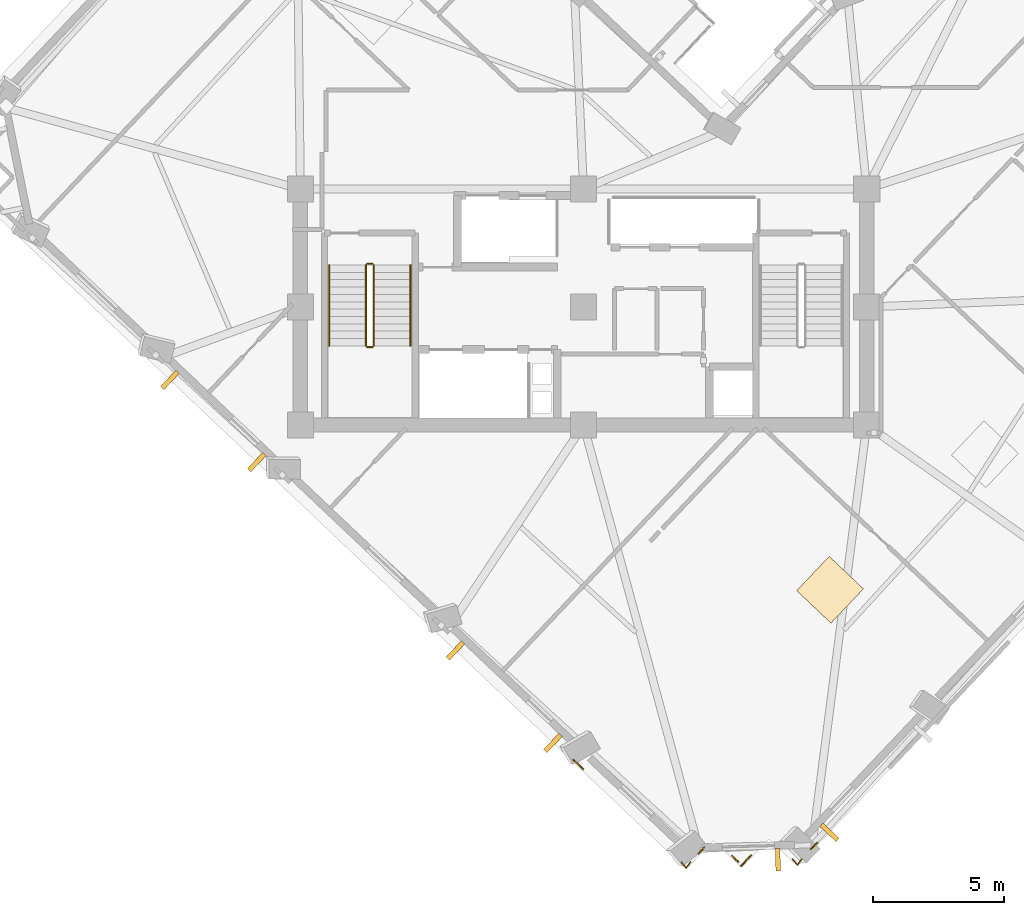
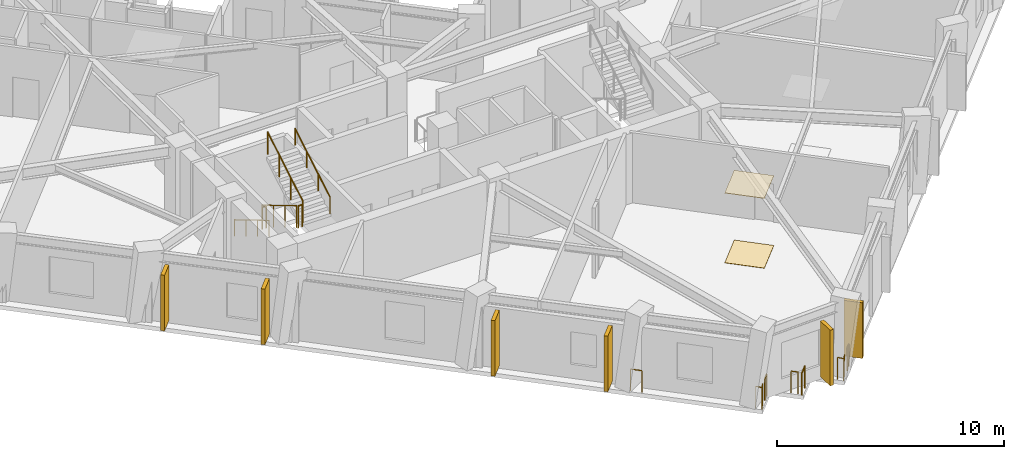
# One storey, part 9 of 12: 13 railings, 6 shading devices, 2 coverings.
"""IFC4 building model written with IfcOpenShell, lengths in metres."""

from ifc_helpers import new_model, si_unit, direction, frame, origin, origin_2d, place, context, subcontext, project, spatial, rectangle, circle, extrude, material, layer, layer_set, type_object, element, save


model = new_model("IFC4")

# Units and contexts
model_context = context("Model", 3, precision=1e-05, world=origin(), true_north=direction((0.0, 1.0)))
body_context = subcontext(model_context, "Body", "Model", "MODEL_VIEW")
ifc_project = project(units=[si_unit("LENGTHUNIT", "METRE"), si_unit("AREAUNIT", "SQUARE_METRE"), si_unit("VOLUMEUNIT", "CUBIC_METRE"), si_unit("PLANEANGLEUNIT", "RADIAN"), si_unit("MASSUNIT", "GRAM", prefix="KILO")], contexts=[model_context])

# Site, building, storey
site_placement = place(None, origin())
site = spatial("IfcSite", under=ifc_project, at=site_placement, CompositionType="ELEMENT")
building_placement = place(site_placement, origin())
building = spatial("IfcBuilding", under=site, at=building_placement, Name="Gaonmaruhae Medical Tower", CompositionType="ELEMENT")
storey_placement = place(building_placement, frame((0.0, 0.0, 223.199951171875)))
storey = spatial("IfcBuildingStorey", under=building, at=storey_placement, Name="L53", CompositionType="ELEMENT", Elevation=223.199951171875)

# Coverings
ifc_material_1 = material(Name="Acoustic mineral ceiling tile", Category="finish")
ifc_layer_1 = layer(ifc_material_1, 0.02490234375)
ifc_layer_set_1 = layer_set([ifc_layer_1], Name="Acoustic mineral ceiling tile")
covering_type_1 = type_object("IfcCoveringType", Name="CLG-01 Antimicrobial Acoustic Mineral Ceiling", PredefinedType="CEILING", material=ifc_layer_set_1)
covering_1_placement = place(storey_placement, frame((34.203125, 1.515869140625, 3.755126953125), z_axis=(0.0, 0.0, 1.0), x_axis=(0.687721305114, 0.725974797422, 0.0)))
element("IfcCovering", 1, at=covering_1_placement, inside=storey, type_object=covering_type_1, Name="L53 Clinical Room Acoustic Ceiling 2", PredefinedType="CEILING", context=body_context, shape_type="SweptSolid", body=[
    extrude(rectangle(XDim=1.800048828125, YDim=1.800048828125, at=origin_2d()), origin(), (0.0, 0.0, 1.0), 0.02490234375),
])
ifc_material_2 = material(Name="Seamless clinical vinyl flooring", Category="finish")
ifc_layer_2 = layer(ifc_material_2, 0.014892578125)
ifc_layer_set_2 = layer_set([ifc_layer_2], Name="Seamless clinical vinyl flooring")
covering_type_2 = type_object("IfcCoveringType", Name="FLR-01 Seamless Clinical Antistatic Vinyl Flooring", PredefinedType="FLOORING", material=ifc_layer_set_2)
covering_2_placement = place(storey_placement, frame((34.203125, 1.515869140625, 0.0), z_axis=(0.0, 0.0, 1.0), x_axis=(0.687721305114, 0.725974797422, 0.0)))
element("IfcCovering", 2, at=covering_2_placement, inside=storey, type_object=covering_type_2, Name="L53 Clinical Room Vinyl Flooring 2", PredefinedType="FLOORING", context=body_context, shape_type="SweptSolid", body=[
    extrude(rectangle(XDim=1.800048828125, YDim=1.800048828125, at=origin_2d()), origin(), (0.0, 0.0, 1.0), 0.014892578125),
])

# Railings
ifc_material_3 = material(Name="Stainless steel 316L and laminated safety glass", Category="steel")
ifc_layer_3 = layer(ifc_material_3, 0.080078125)
ifc_layer_set_3 = layer_set([ifc_layer_3], Name="Stainless steel 316L and laminated safety glass")
railing_type_1 = type_object("IfcRailingType", Name="GD-120 Outdoor Terrace Safety Glass & Steel Balustrade", PredefinedType="BALUSTRADE", material=ifc_layer_set_3)
railing_1_placement = place(storey_placement, frame((33.705322265625, -8.139892578125, 0.0)))
element("IfcRailing", 3, at=railing_1_placement, inside=storey, type_object=railing_type_1, Name="L53 Perimeter Slab Edge Safety Balustrade 03", PredefinedType="BALUSTRADE", context=body_context, shape_type="SweptSolid", body=[
    extrude(circle(Radius=0.02392578125, at=origin_2d()), frame((0.0, 0.0, 1.17578125), z_axis=(-0.687445720701, -0.726235761368, 0.0), x_axis=(0.726235761368, -0.687445720701, 0.0)), (0.0, 0.0, 1.0), 0.33984375),
    extrude(circle(Radius=0.02099609375, at=origin_2d()), origin(), (0.0, 0.0, 1.0), 1.15185546875),
    extrude(circle(Radius=0.02099609375, at=origin_2d()), frame((-0.233642578125, -0.246826171875, 0.0)), (0.0, 0.0, 1.0), 1.15185546875),
])
railing_2_placement = place(storey_placement, frame((31.186767578125, -8.61767578125, 0.0)))
element("IfcRailing", 4, at=railing_2_placement, inside=storey, type_object=railing_type_1, Name="L53 Perimeter Slab Edge Safety Balustrade 04", PredefinedType="BALUSTRADE", context=body_context, shape_type="SweptSolid", body=[
    extrude(circle(Radius=0.02392578125, at=origin_2d()), frame((0.0, 0.0, 1.17578125), z_axis=(-0.687889730395, -0.725815209828, 0.0), x_axis=(0.725815209828, -0.687889730395, 0.0)), (0.0, 0.0, 1.0), 0.56005859375),
    extrude(circle(Radius=0.02099609375, at=origin_2d()), origin(), (0.0, 0.0, 1.0), 1.15185546875),
    extrude(circle(Radius=0.02099609375, at=origin_2d()), frame((-0.38525390625, -0.406494140625, 0.0)), (0.0, 0.0, 1.0), 1.15185546875),
])
railing_3_placement = place(storey_placement, frame((30.702880859375, -8.86181640625, 0.0)))
element("IfcRailing", 5, at=railing_3_placement, inside=storey, type_object=railing_type_1, Name="L53 Perimeter Slab Edge Safety Balustrade 05", PredefinedType="BALUSTRADE", context=body_context, shape_type="SweptSolid", body=[
    extrude(circle(Radius=0.02392578125, at=origin_2d()), frame((0.0, 0.0, 1.17578125), z_axis=(-0.72591339313, 0.687786119135, 0.0), x_axis=(-0.687786119135, -0.72591339313, 0.0)), (0.0, 0.0, 1.0), 0.32666015625),
    extrude(circle(Radius=0.02099609375, at=origin_2d()), origin(), (0.0, 0.0, 1.0), 1.15185546875),
    extrude(circle(Radius=0.02099609375, at=origin_2d()), frame((-0.237060546875, 0.224609375, 0.0)), (0.0, 0.0, 1.0), 1.15185546875),
])
railing_4_placement = place(storey_placement, frame((29.409912109375, -8.31201171875, 0.0)))
element("IfcRailing", 6, at=railing_4_placement, inside=storey, type_object=railing_type_1, Name="L53 Perimeter Slab Edge Safety Balustrade 06", PredefinedType="BALUSTRADE", context=body_context, shape_type="SweptSolid", body=[
    extrude(circle(Radius=0.02392578125, at=origin_2d()), frame((0.0, 0.0, 1.17578125), z_axis=(-0.687786119135, -0.72591339313, 0.0), x_axis=(0.72591339313, -0.687786119135, 0.0)), (0.0, 0.0, 1.0), 0.32666015625),
    extrude(circle(Radius=0.02099609375, at=origin_2d()), origin(), (0.0, 0.0, 1.0), 1.15185546875),
    extrude(circle(Radius=0.02099609375, at=origin_2d()), frame((-0.224609375, -0.237060546875, 0.0)), (0.0, 0.0, 1.0), 1.15185546875),
])
railing_5_placement = place(storey_placement, frame((24.784423828125, -5.3212890625, 0.0)))
element("IfcRailing", 7, at=railing_5_placement, inside=storey, type_object=railing_type_1, Name="L53 Perimeter Slab Edge Safety Balustrade 07", PredefinedType="BALUSTRADE", context=body_context, shape_type="SweptSolid", body=[
    extrude(circle(Radius=0.02392578125, at=origin_2d()), frame((0.0, 0.0, 1.17578125), z_axis=(-0.725903233346, 0.687796841965, 0.0), x_axis=(-0.687796841965, -0.725903233346, 0.0)), (0.0, 0.0, 1.0), 0.51904296875),
    extrude(circle(Radius=0.02099609375, at=origin_2d()), origin(), (0.0, 0.0, 1.0), 1.15185546875),
    extrude(circle(Radius=0.02099609375, at=origin_2d()), frame((-0.376708984375, 0.35693359375, 0.0)), (0.0, 0.0, 1.0), 1.15185546875),
])
railing_6_placement = place(storey_placement, frame((33.12841796875, -8.748779296875, 0.0)))
element("IfcRailing", 8, at=railing_6_placement, inside=storey, type_object=railing_type_1, Name="L53 Perimeter Corner Safety Balustrade 10", PredefinedType="BALUSTRADE", context=body_context, shape_type="SweptSolid", body=[
    extrude(circle(Radius=0.02392578125, at=origin_2d()), frame((0.0, 0.0, 1.17578125), z_axis=(-0.593315013285, -0.804970369027, 0.0), x_axis=(0.804970369027, -0.593315013285, 0.0)), (0.0, 0.0, 1.0), 0.287109375),
    extrude(circle(Radius=0.02392578125, at=origin_2d()), frame((-0.17041015625, -0.231201171875, 1.17578125), z_axis=(-0.637254655596, 0.770653296834, 0.0), x_axis=(-0.770653296834, -0.637254655596, 0.0)), (0.0, 0.0, 1.0), 0.287353515625),
    extrude(circle(Radius=0.02099609375, at=origin_2d()), origin(), (0.0, 0.0, 1.0), 1.15185546875),
    extrude(circle(Radius=0.02099609375, at=origin_2d()), frame((-0.17041015625, -0.231201171875, 0.0)), (0.0, 0.0, 1.0), 1.15185546875),
    extrude(circle(Radius=0.02099609375, at=origin_2d()), frame((-0.353515625, -0.009765625, 0.0)), (0.0, 0.0, 1.0), 1.15185546875),
])
railing_7_placement = place(storey_placement, frame((28.887451171875, -8.86376953125, 0.0)))
element("IfcRailing", 9, at=railing_7_placement, inside=storey, type_object=railing_type_1, Name="L53 Perimeter Corner Safety Balustrade 11", PredefinedType="BALUSTRADE", context=body_context, shape_type="SweptSolid", body=[
    extrude(circle(Radius=0.02392578125, at=origin_2d()), frame((0.0, 0.0, 1.17578125), z_axis=(-0.594271531298, -0.804264475834, 0.0), x_axis=(0.804264475834, -0.594271531298, 0.0)), (0.0, 0.0, 1.0), 0.287109375),
    extrude(circle(Radius=0.02392578125, at=origin_2d()), frame((-0.170654296875, -0.23095703125, 1.17578125), z_axis=(-0.636749619311, 0.771070633799, 0.0), x_axis=(-0.771070633799, -0.636749619311, 0.0)), (0.0, 0.0, 1.0), 0.287109375),
    extrude(circle(Radius=0.02099609375, at=origin_2d()), origin(), (0.0, 0.0, 1.0), 1.15185546875),
    extrude(circle(Radius=0.02099609375, at=origin_2d()), frame((-0.170654296875, -0.23095703125, 0.0)), (0.0, 0.0, 1.0), 1.15185546875),
    extrude(circle(Radius=0.02099609375, at=origin_2d()), frame((-0.353515625, -0.009521484375, 0.0)), (0.0, 0.0, 1.0), 1.15185546875),
])
ifc_material_4 = material(Name="Stainless steel 304 handrail", Category="steel")
railing_type_2 = type_object("IfcRailingType", Name="HR-092 Continuous Stainless Steel Stair Handrail", PredefinedType="HANDRAIL", material=ifc_material_4)
railing_8_placement = place(storey_placement, frame((15.10009765625, 13.89990234375, 0.166748046875)))
element("IfcRailing", 10, at=railing_8_placement, inside=storey, type_object=railing_type_2, Name="L53 ST-01 stair handrail 1", PredefinedType="HANDRAIL", context=body_context, shape_type="SweptSolid", body=[
    extrude(circle(Radius=0.02392578125, at=origin_2d()), frame((0.0, 0.0, 0.8759765625), z_axis=(0.0, -0.859290745958, 0.51148745235), x_axis=(1.0, 0.0, 0.0)), (0.0, 0.0, 1.0), 3.584228515625),
    extrude(circle(Radius=0.02099609375, at=origin_2d()), origin(), (0.0, 0.0, 1.0), 0.851806640625),
    extrude(circle(Radius=0.02099609375, at=origin_2d()), frame((0.0, -1.026611328125, 0.611083984375)), (0.0, 0.0, 1.0), 0.851806640625),
    extrude(circle(Radius=0.02099609375, at=origin_2d()), frame((0.0, -2.05322265625, 1.22216796875)), (0.0, 0.0, 1.0), 0.851806640625),
    extrude(circle(Radius=0.02099609375, at=origin_2d()), frame((0.0, -3.079833984375, 1.833251953125)), (0.0, 0.0, 1.0), 0.851806640625),
])
railing_9_placement = place(storey_placement, frame((18.199951171875, 10.820068359375, 2.166748046875)))
element("IfcRailing", 11, at=railing_9_placement, inside=storey, type_object=railing_type_2, Name="L53 ST-01 stair handrail 2", PredefinedType="HANDRAIL", context=body_context, shape_type="SweptSolid", body=[
    extrude(circle(Radius=0.02392578125, at=origin_2d()), frame((0.0, 0.0, 0.8759765625), z_axis=(0.0, 0.859290745958, 0.51148745235), x_axis=(-1.0, 0.0, 0.0)), (0.0, 0.0, 1.0), 3.584228515625),
    extrude(circle(Radius=0.02099609375, at=origin_2d()), origin(), (0.0, 0.0, 1.0), 0.851806640625),
    extrude(circle(Radius=0.02099609375, at=origin_2d()), frame((0.0, 1.026611328125, 0.611083984375)), (0.0, 0.0, 1.0), 0.851806640625),
    extrude(circle(Radius=0.02099609375, at=origin_2d()), frame((0.0, 2.05322265625, 1.22216796875)), (0.0, 0.0, 1.0), 0.851806640625),
    extrude(circle(Radius=0.02099609375, at=origin_2d()), frame((0.0, 3.079833984375, 1.833251953125)), (0.0, 0.0, 1.0), 0.851806640625),
])

# Shading devices
ifc_material_5 = material(Name="Pigmented coral precast concrete C45/55", Category="concrete")
shading_device_type = type_object("IfcShadingDeviceType", Name="SD-FIN1 Tower Vertical Coral Precast Shading Fin", PredefinedType="USERDEFINED", material=ifc_material_5)
for number, where, z_axis, x_axis, name in (
    (12, (34.17919921875, -7.734130859375, 0.132568359375), (0.0, 0.0, 1.0), (-0.687721305114, -0.725974797422, 0.0), "L53 Vertical Coral Precast Shading Fin S01B"),
    (13, (12.336669921875, 6.381103515625, 0.132568359375), (0.0, 0.0, 1.0), (-0.725974797422, 0.687721305114, 0.0), "L53 Vertical Coral Precast Shading Fin W02"),
    (14, (9.025634765625, 9.517578125, 0.132568359375), (0.0, 0.0, 1.0), (-0.725974797422, 0.687721305114, 0.0), "L53 Vertical Coral Precast Shading Fin W02B"),
    (15, (23.63671875, -4.32373046875, 0.132568359375), (0.0, 0.0, 1.0), (-0.725974797422, 0.687721305114, 0.0), "L53 Vertical Coral Precast Shading Fin W04"),
    (16, (19.916015625, -0.799072265625, 0.132568359375), (0.0, 0.0, 1.0), (-0.725974797422, 0.687721305114, 0.0), "L53 Vertical Coral Precast Shading Fin W04B"),
    (17, (32.213623046875, -8.78125, 0.132568359375), (0.0, 0.0, 1.0), (-0.999633628389, -0.027066750718, 0.0), "L53 Vertical Coral Precast Shading Fin W06"),
):
    element("IfcShadingDevice", number, at=place(storey_placement, frame(where, z_axis=z_axis, x_axis=x_axis)), inside=storey, type_object=shading_device_type, Name=name, ObjectType="FIN", PredefinedType="USERDEFINED", context=body_context, shape_type="SweptSolid", body=[
        extrude(rectangle(XDim=0.179931640625, YDim=0.85009765625, at=origin_2d()), origin(), (0.0, 0.0, 1.0), 3.0),
    ])

# Railings
ifc_material_6 = material(Name="Stainless steel 304 balustrade", Category="steel")
railing_type_3 = type_object("IfcRailingType", Name="SG-112 Stair Well & Ramp Void Safety Balustrade", PredefinedType="BALUSTRADE", material=ifc_material_6)
railing_10_placement = place(storey_placement, frame((16.5, 13.89990234375, 0.166748046875)))
element("IfcRailing", 18, at=railing_10_placement, inside=storey, type_object=railing_type_3, Name="L53 ST-01 stair guard 1", PredefinedType="BALUSTRADE", context=body_context, shape_type="SweptSolid", body=[
    extrude(circle(Radius=0.02392578125, at=origin_2d()), frame((0.0, 0.0, 1.17578125), z_axis=(0.0, -0.859290745958, 0.51148745235), x_axis=(1.0, 0.0, 0.0)), (0.0, 0.0, 1.0), 3.584228515625),
    extrude(circle(Radius=0.02099609375, at=origin_2d()), origin(), (0.0, 0.0, 1.0), 1.15185546875),
    extrude(circle(Radius=0.02099609375, at=origin_2d()), frame((0.0, -1.026611328125, 0.611083984375)), (0.0, 0.0, 1.0), 1.15185546875),
    extrude(circle(Radius=0.02099609375, at=origin_2d()), frame((0.0, -2.05322265625, 1.22216796875)), (0.0, 0.0, 1.0), 1.15185546875),
    extrude(circle(Radius=0.02099609375, at=origin_2d()), frame((0.0, -3.079833984375, 1.833251953125)), (0.0, 0.0, 1.0), 1.15185546875),
])
railing_11_placement = place(storey_placement, frame((16.550048828125, 10.77001953125, 2.0)))
element("IfcRailing", 19, at=railing_11_placement, inside=storey, type_object=railing_type_3, Name="L53 ST-01 stair guard 2", PredefinedType="BALUSTRADE", context=body_context, shape_type="SweptSolid", body=[
    extrude(circle(Radius=0.02392578125, at=origin_2d()), frame((0.0, 0.0, 1.17578125), z_axis=(1.0, 0.0, 0.0), x_axis=(0.0, 1.0, 0.0)), (0.0, 0.0, 1.0), 0.199951171875),
    extrude(circle(Radius=0.02099609375, at=origin_2d()), origin(), (0.0, 0.0, 1.0), 1.15185546875),
    extrude(circle(Radius=0.02099609375, at=origin_2d()), frame((0.199951171875, 0.0, 0.0)), (0.0, 0.0, 1.0), 1.15185546875),
])
railing_12_placement = place(storey_placement, frame((16.800048828125, 10.820068359375, 2.166748046875)))
element("IfcRailing", 20, at=railing_12_placement, inside=storey, type_object=railing_type_3, Name="L53 ST-01 stair guard 3", PredefinedType="BALUSTRADE", context=body_context, shape_type="SweptSolid", body=[
    extrude(circle(Radius=0.02392578125, at=origin_2d()), frame((0.0, 0.0, 1.17578125), z_axis=(0.0, 0.859290745958, 0.51148745235), x_axis=(-1.0, 0.0, 0.0)), (0.0, 0.0, 1.0), 3.584228515625),
    extrude(circle(Radius=0.02099609375, at=origin_2d()), origin(), (0.0, 0.0, 1.0), 1.15185546875),
    extrude(circle(Radius=0.02099609375, at=origin_2d()), frame((0.0, 1.026611328125, 0.611083984375)), (0.0, 0.0, 1.0), 1.15185546875),
    extrude(circle(Radius=0.02099609375, at=origin_2d()), frame((0.0, 2.05322265625, 1.22216796875)), (0.0, 0.0, 1.0), 1.15185546875),
    extrude(circle(Radius=0.02099609375, at=origin_2d()), frame((0.0, 3.079833984375, 1.833251953125)), (0.0, 0.0, 1.0), 1.15185546875),
])
railing_13_placement = place(storey_placement, frame((16.550048828125, 13.949951171875, 0.0)))
element("IfcRailing", 21, at=railing_13_placement, inside=storey, type_object=railing_type_3, Name="L53 ST-01 stair guard 4", PredefinedType="BALUSTRADE", context=body_context, shape_type="SweptSolid", body=[
    extrude(circle(Radius=0.02392578125, at=origin_2d()), frame((0.0, 0.0, 1.17578125), z_axis=(1.0, 0.0, 0.0), x_axis=(0.0, 1.0, 0.0)), (0.0, 0.0, 1.0), 0.199951171875),
    extrude(circle(Radius=0.02099609375, at=origin_2d()), origin(), (0.0, 0.0, 1.0), 1.15185546875),
    extrude(circle(Radius=0.02099609375, at=origin_2d()), frame((0.199951171875, 0.0, 0.0)), (0.0, 0.0, 1.0), 1.15185546875),
])

save(model, "model.ifc")
